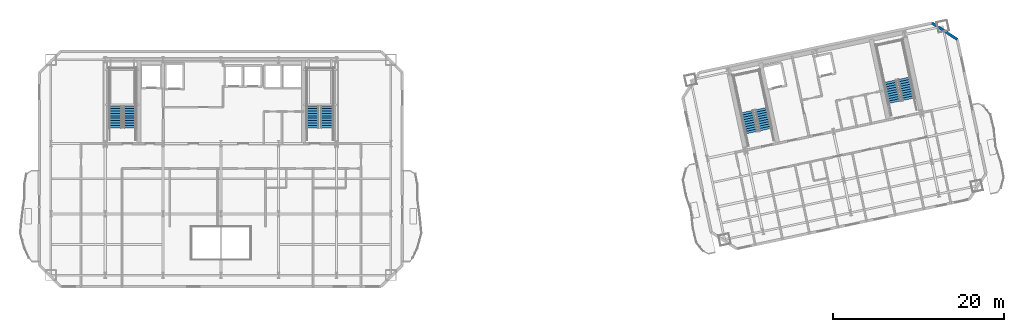
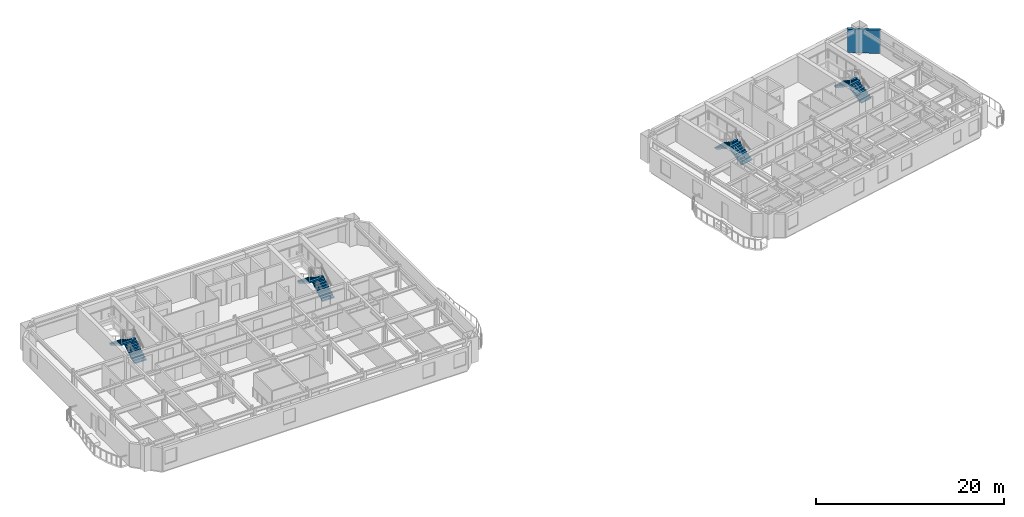
# One storey, part 9 of 13: 8 stair flights, 1 wall, 4 elements without a shape of their own.
"""IFC4 building model written with IfcOpenShell, lengths in metres."""

from ifc_helpers import new_model, si_unit, direction, frame, frame_2d, origin, place, context, subcontext, project, spatial, polyline, rectangle, outline, extrude, material, layer, layer_set, type_object, element, aggregate, save


model = new_model("IFC4")

# Units and contexts
model_context = context("Model", 3, precision=1e-05, world=origin(), true_north=direction((0.0, 1.0)))
body_context = subcontext(model_context, "Body", "Model", "MODEL_VIEW")
ifc_project = project(units=[si_unit("LENGTHUNIT", "METRE"), si_unit("AREAUNIT", "SQUARE_METRE"), si_unit("VOLUMEUNIT", "CUBIC_METRE"), si_unit("PLANEANGLEUNIT", "RADIAN"), si_unit("MASSUNIT", "GRAM", prefix="KILO")], contexts=[model_context])

# Site, building, storey
site_placement = place(None, origin())
site = spatial("IfcSite", under=ifc_project, at=site_placement, CompositionType="ELEMENT")
building_placement = place(site_placement, origin())
building = spatial("IfcBuilding", under=site, at=building_placement, Name="Haevon Station Towers", CompositionType="ELEMENT")
storey_placement = place(building_placement, frame((0.0, 0.0, 149.39990234375)))
storey = spatial("IfcBuildingStorey", under=building, at=storey_placement, Name="L40", CompositionType="ELEMENT", Elevation=149.39990234375)

# Wall
ifc_material_1 = material(Name="Precast concrete C45/55", Category="concrete")
ifc_layer = layer(ifc_material_1, 0.300048828125)
ifc_layer_set = layer_set([ifc_layer], Name="Precast concrete C45/55")
wall_type = type_object("IfcWallType", Name="WL-EXT-PIER300", PredefinedType="SOLIDWALL", material=ifc_layer_set)
wall_placement = place(storey_placement, frame((120.5400390625, 52.296875, 0.0), z_axis=(0.0, 0.0, 1.0), x_axis=(0.838672309694, -0.544636352948, 0.0)))
element("IfcWall", 1, at=wall_placement, inside=storey, type_object=wall_type, Name="WL-T2-L40-NEC", PredefinedType="SOLIDWALL", context=body_context, shape_type="SweptSolid", body=[
    extrude(rectangle(XDim=3.535400390625, YDim=0.300048828125, at=frame_2d((1.767578125, 0.0))), origin(), (0.0, 0.0, 1.0), 3.030029296875),
])

# Stair, stair flights
ifc_material_2 = material(Name="Concrete C40/50", Category="concrete")
stair_type = type_object("IfcStairType", Name="STR-DL1450", PredefinedType="USERDEFINED", material=ifc_material_2)
stair_1_placement = place(storey_placement, origin())
stair_1 = element("IfcStair", 2, at=stair_1_placement, inside=storey, type_object=stair_type, Name="L40 Escape Stair ST1", ObjectType="TWO_RETURN_STAIR", PredefinedType="USERDEFINED")
stair_flight_type = type_object("IfcStairFlightType", Name="STF-ST1450", PredefinedType="STRAIGHT", material=ifc_material_2)
stair_flight_1_placement = place(storey_placement, frame((26.85498046875, 40.050048828125, 0.0), z_axis=(0.0, 0.0, 1.0), x_axis=(0.0, 1.0, 0.0)))
stair_flight_1 = element("IfcStairFlight", 3, at=stair_flight_1_placement, type_object=stair_flight_type, Name="L40 ST1 Flight 1", NumberOfRisers=10, NumberOfTreads=9, PredefinedType="STRAIGHT", RiserHeight=0.165, TreadLength=0.28, context=body_context, shape_type="SweptSolid", body=[
    extrude(outline(polyline([(0.0, 0.0), (0.0, 0.1650390625), (0.280029296875, 0.1650390625), (0.280029296875, 0.330078125), (0.56005859375, 0.330078125), (0.56005859375, 0.4951171875), (0.840087890625, 0.4951171875), (0.840087890625, 0.659912109375), (1.1201171875, 0.659912109375), (1.1201171875, 0.824951171875), (1.39990234375, 0.824951171875), (1.39990234375, 0.989990234375), (1.679931640625, 0.989990234375), (1.679931640625, 1.155029296875), (1.9599609375, 1.155029296875), (1.9599609375, 1.320068359375), (2.239990234375, 1.320068359375), (2.239990234375, 1.485107421875), (2.52001953125, 1.485107421875), (2.52001953125, 1.64990234375), (2.52001953125, 1.29931640625), (0.31494140625, 0.0), (0.0, 0.0)])), frame((0.0, 0.72509765625, 0.0), z_axis=(0.0, -1.0, 0.0), x_axis=(1.0, 0.0, 0.0)), (0.0, 0.0, 1.0), 1.449951171875),
])
stair_flight_2_placement = place(storey_placement, frame((25.205078125, 42.570068359375, 1.650146484375), z_axis=(0.0, 0.0, 1.0), x_axis=(0.0, -1.0, 0.0)))
stair_flight_2 = element("IfcStairFlight", 4, at=stair_flight_2_placement, type_object=stair_flight_type, Name="L40 ST1 Flight 2", NumberOfRisers=10, NumberOfTreads=9, PredefinedType="STRAIGHT", RiserHeight=0.165, TreadLength=0.28, context=body_context, shape_type="SweptSolid", body=[
    extrude(outline(polyline([(0.0, 0.0), (0.0, 0.1650390625), (0.280029296875, 0.1650390625), (0.280029296875, 0.330078125), (0.56005859375, 0.330078125), (0.56005859375, 0.4951171875), (0.840087890625, 0.4951171875), (0.840087890625, 0.659912109375), (1.1201171875, 0.659912109375), (1.1201171875, 0.824951171875), (1.39990234375, 0.824951171875), (1.39990234375, 0.989990234375), (1.679931640625, 0.989990234375), (1.679931640625, 1.155029296875), (1.9599609375, 1.155029296875), (1.9599609375, 1.320068359375), (2.239990234375, 1.320068359375), (2.239990234375, 1.485107421875), (2.52001953125, 1.485107421875), (2.52001953125, 1.64990234375), (2.52001953125, 1.29931640625), (0.31494140625, 0.0), (0.0, 0.0)])), frame((0.0, 0.72509765625, 0.0), z_axis=(0.0, -1.0, 0.0), x_axis=(1.0, 0.0, 0.0)), (0.0, 0.0, 1.0), 1.449951171875),
])
aggregate(stair_1, [stair_flight_1, stair_flight_2])

stair_2_placement = place(storey_placement, origin())
stair_2 = element("IfcStair", 5, at=stair_2_placement, inside=storey, type_object=stair_type, Name="L40 Escape Stair ST2", ObjectType="TWO_RETURN_STAIR", PredefinedType="USERDEFINED")
stair_flight_3_placement = place(storey_placement, frame((49.89501953125, 40.050048828125, 0.0), z_axis=(0.0, 0.0, 1.0), x_axis=(0.0, 1.0, 0.0)))
stair_flight_3 = element("IfcStairFlight", 6, at=stair_flight_3_placement, type_object=stair_flight_type, Name="L40 ST2 Flight 1", NumberOfRisers=10, NumberOfTreads=9, PredefinedType="STRAIGHT", RiserHeight=0.165, TreadLength=0.28, context=body_context, shape_type="SweptSolid", body=[
    extrude(outline(polyline([(0.0, 0.0), (0.0, 0.1650390625), (0.280029296875, 0.1650390625), (0.280029296875, 0.330078125), (0.56005859375, 0.330078125), (0.56005859375, 0.4951171875), (0.840087890625, 0.4951171875), (0.840087890625, 0.659912109375), (1.1201171875, 0.659912109375), (1.1201171875, 0.824951171875), (1.39990234375, 0.824951171875), (1.39990234375, 0.989990234375), (1.679931640625, 0.989990234375), (1.679931640625, 1.155029296875), (1.9599609375, 1.155029296875), (1.9599609375, 1.320068359375), (2.239990234375, 1.320068359375), (2.239990234375, 1.485107421875), (2.52001953125, 1.485107421875), (2.52001953125, 1.64990234375), (2.52001953125, 1.29931640625), (0.31494140625, 0.0), (0.0, 0.0)])), frame((0.0, 0.72509765625, 0.0), z_axis=(0.0, -1.0, 0.0), x_axis=(1.0, 0.0, 0.0)), (0.0, 0.0, 1.0), 1.449951171875),
])
stair_flight_4_placement = place(storey_placement, frame((48.2451171875, 42.570068359375, 1.650146484375), z_axis=(0.0, 0.0, 1.0), x_axis=(0.0, -1.0, 0.0)))
stair_flight_4 = element("IfcStairFlight", 7, at=stair_flight_4_placement, type_object=stair_flight_type, Name="L40 ST2 Flight 2", NumberOfRisers=10, NumberOfTreads=9, PredefinedType="STRAIGHT", RiserHeight=0.165, TreadLength=0.28, context=body_context, shape_type="SweptSolid", body=[
    extrude(outline(polyline([(0.0, 0.0), (0.0, 0.1650390625), (0.280029296875, 0.1650390625), (0.280029296875, 0.330078125), (0.56005859375, 0.330078125), (0.56005859375, 0.4951171875), (0.840087890625, 0.4951171875), (0.840087890625, 0.659912109375), (1.1201171875, 0.659912109375), (1.1201171875, 0.824951171875), (1.39990234375, 0.824951171875), (1.39990234375, 0.989990234375), (1.679931640625, 0.989990234375), (1.679931640625, 1.155029296875), (1.9599609375, 1.155029296875), (1.9599609375, 1.320068359375), (2.239990234375, 1.320068359375), (2.239990234375, 1.485107421875), (2.52001953125, 1.485107421875), (2.52001953125, 1.64990234375), (2.52001953125, 1.29931640625), (0.31494140625, 0.0), (0.0, 0.0)])), frame((0.0, 0.72509765625, 0.0), z_axis=(0.0, -1.0, 0.0), x_axis=(1.0, 0.0, 0.0)), (0.0, 0.0, 1.0), 1.449951171875),
])
aggregate(stair_2, [stair_flight_3, stair_flight_4])

stair_3_placement = place(storey_placement, origin())
stair_3 = element("IfcStair", 8, at=stair_3_placement, inside=storey, type_object=stair_type, Name="L40 Escape Stair ST3", ObjectType="TWO_RETURN_STAIR", PredefinedType="USERDEFINED")
stair_flight_5_placement = place(storey_placement, frame((101.1015625, 39.8330078125, 0.0), z_axis=(0.0, 0.0, 1.0), x_axis=(-0.207911690818, 0.978147600734, 0.0)))
stair_flight_5 = element("IfcStairFlight", 9, at=stair_flight_5_placement, type_object=stair_flight_type, Name="L40 ST3 Flight 1", NumberOfRisers=10, NumberOfTreads=9, PredefinedType="STRAIGHT", RiserHeight=0.165, TreadLength=0.28, context=body_context, shape_type="SweptSolid", body=[
    extrude(outline(polyline([(0.0, 0.0), (0.0, 0.1650390625), (0.280029296875, 0.1650390625), (0.280029296875, 0.330078125), (0.56005859375, 0.330078125), (0.56005859375, 0.4951171875), (0.840087890625, 0.4951171875), (0.840087890625, 0.659912109375), (1.1201171875, 0.659912109375), (1.1201171875, 0.824951171875), (1.39990234375, 0.824951171875), (1.39990234375, 0.989990234375), (1.679931640625, 0.989990234375), (1.679931640625, 1.155029296875), (1.9599609375, 1.155029296875), (1.9599609375, 1.320068359375), (2.239990234375, 1.320068359375), (2.239990234375, 1.485107421875), (2.52001953125, 1.485107421875), (2.52001953125, 1.64990234375), (2.52001953125, 1.29931640625), (0.31494140625, 0.0), (0.0, 0.0)])), frame((0.0, 0.72509765625, 0.0), z_axis=(0.0, -1.0, 0.0), x_axis=(1.0, 0.0, 0.0)), (0.0, 0.0, 1.0), 1.449951171875),
])
stair_flight_6_placement = place(storey_placement, frame((98.9638671875, 41.955078125, 1.650146484375), z_axis=(0.0, 0.0, 1.0), x_axis=(0.207911690818, -0.978147600734, 0.0)))
stair_flight_6 = element("IfcStairFlight", 10, at=stair_flight_6_placement, type_object=stair_flight_type, Name="L40 ST3 Flight 2", NumberOfRisers=10, NumberOfTreads=9, PredefinedType="STRAIGHT", RiserHeight=0.165, TreadLength=0.28, context=body_context, shape_type="SweptSolid", body=[
    extrude(outline(polyline([(0.0, 0.0), (0.0, 0.1650390625), (0.280029296875, 0.1650390625), (0.280029296875, 0.330078125), (0.56005859375, 0.330078125), (0.56005859375, 0.4951171875), (0.840087890625, 0.4951171875), (0.840087890625, 0.659912109375), (1.1201171875, 0.659912109375), (1.1201171875, 0.824951171875), (1.39990234375, 0.824951171875), (1.39990234375, 0.989990234375), (1.679931640625, 0.989990234375), (1.679931640625, 1.155029296875), (1.9599609375, 1.155029296875), (1.9599609375, 1.320068359375), (2.239990234375, 1.320068359375), (2.239990234375, 1.485107421875), (2.52001953125, 1.485107421875), (2.52001953125, 1.64990234375), (2.52001953125, 1.29931640625), (0.31494140625, 0.0), (0.0, 0.0)])), frame((0.0, 0.72509765625, 0.0), z_axis=(0.0, -1.0, 0.0), x_axis=(1.0, 0.0, 0.0)), (0.0, 0.0, 1.0), 1.449951171875),
])
aggregate(stair_3, [stair_flight_5, stair_flight_6])

stair_4_placement = place(storey_placement, origin())
stair_4 = element("IfcStair", 11, at=stair_4_placement, inside=storey, type_object=stair_type, Name="L40 Escape Stair ST4", ObjectType="TWO_RETURN_STAIR", PredefinedType="USERDEFINED")
stair_flight_7_placement = place(storey_placement, frame((117.788818359375, 43.380126953125, 0.0), z_axis=(0.0, 0.0, 1.0), x_axis=(-0.207911690818, 0.978147600734, 0.0)))
stair_flight_7 = element("IfcStairFlight", 12, at=stair_flight_7_placement, type_object=stair_flight_type, Name="L40 ST4 Flight 1", NumberOfRisers=10, NumberOfTreads=9, PredefinedType="STRAIGHT", RiserHeight=0.165, TreadLength=0.28, context=body_context, shape_type="SweptSolid", body=[
    extrude(outline(polyline([(0.0, 0.0), (0.0, 0.1650390625), (0.280029296875, 0.1650390625), (0.280029296875, 0.330078125), (0.56005859375, 0.330078125), (0.56005859375, 0.4951171875), (0.840087890625, 0.4951171875), (0.840087890625, 0.659912109375), (1.1201171875, 0.659912109375), (1.1201171875, 0.824951171875), (1.39990234375, 0.824951171875), (1.39990234375, 0.989990234375), (1.679931640625, 0.989990234375), (1.679931640625, 1.155029296875), (1.9599609375, 1.155029296875), (1.9599609375, 1.320068359375), (2.239990234375, 1.320068359375), (2.239990234375, 1.485107421875), (2.52001953125, 1.485107421875), (2.52001953125, 1.64990234375), (2.52001953125, 1.29931640625), (0.31494140625, 0.0), (0.0, 0.0)])), frame((0.0, 0.72509765625, 0.0), z_axis=(0.0, -1.0, 0.0), x_axis=(1.0, 0.0, 0.0)), (0.0, 0.0, 1.0), 1.449951171875),
])
stair_flight_8_placement = place(storey_placement, frame((115.65087890625, 45.501953125, 1.650146484375), z_axis=(0.0, 0.0, 1.0), x_axis=(0.207911690818, -0.978147600734, 0.0)))
stair_flight_8 = element("IfcStairFlight", 13, at=stair_flight_8_placement, type_object=stair_flight_type, Name="L40 ST4 Flight 2", NumberOfRisers=10, NumberOfTreads=9, PredefinedType="STRAIGHT", RiserHeight=0.165, TreadLength=0.28, context=body_context, shape_type="SweptSolid", body=[
    extrude(outline(polyline([(0.0, 0.0), (0.0, 0.1650390625), (0.280029296875, 0.1650390625), (0.280029296875, 0.330078125), (0.56005859375, 0.330078125), (0.56005859375, 0.4951171875), (0.840087890625, 0.4951171875), (0.840087890625, 0.659912109375), (1.1201171875, 0.659912109375), (1.1201171875, 0.824951171875), (1.39990234375, 0.824951171875), (1.39990234375, 0.989990234375), (1.679931640625, 0.989990234375), (1.679931640625, 1.155029296875), (1.9599609375, 1.155029296875), (1.9599609375, 1.320068359375), (2.239990234375, 1.320068359375), (2.239990234375, 1.485107421875), (2.52001953125, 1.485107421875), (2.52001953125, 1.64990234375), (2.52001953125, 1.29931640625), (0.31494140625, 0.0), (0.0, 0.0)])), frame((0.0, 0.72509765625, 0.0), z_axis=(0.0, -1.0, 0.0), x_axis=(1.0, 0.0, 0.0)), (0.0, 0.0, 1.0), 1.449951171875),
])
aggregate(stair_4, [stair_flight_7, stair_flight_8])

save(model, "model.ifc")
